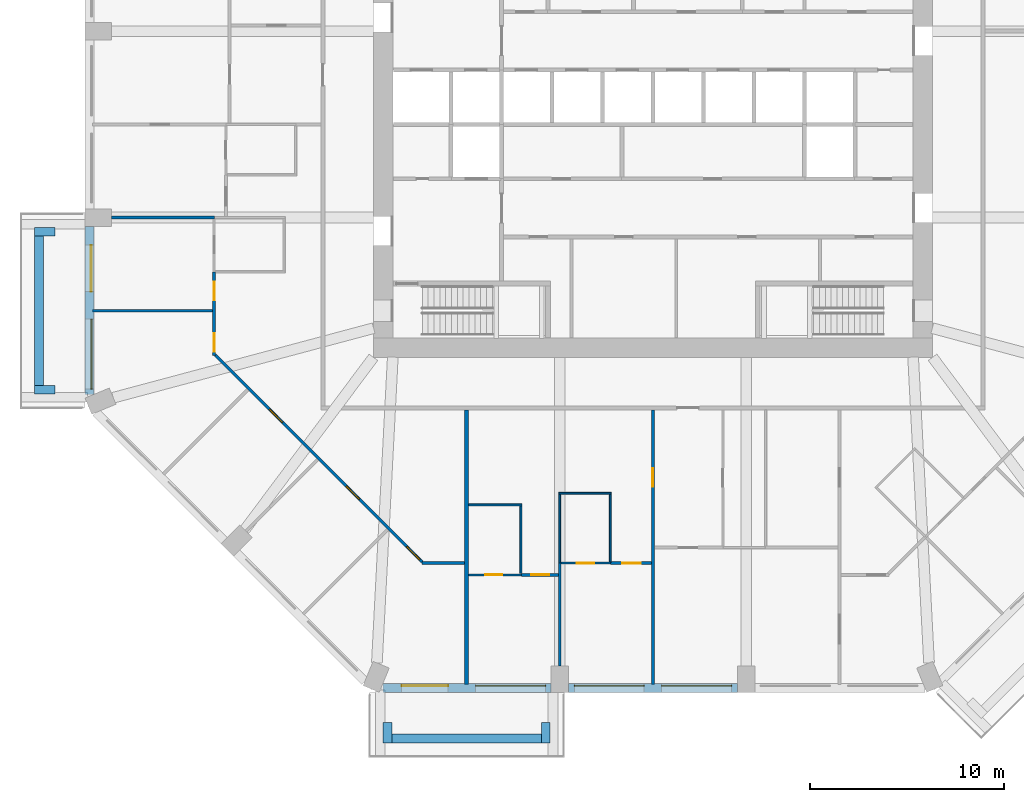
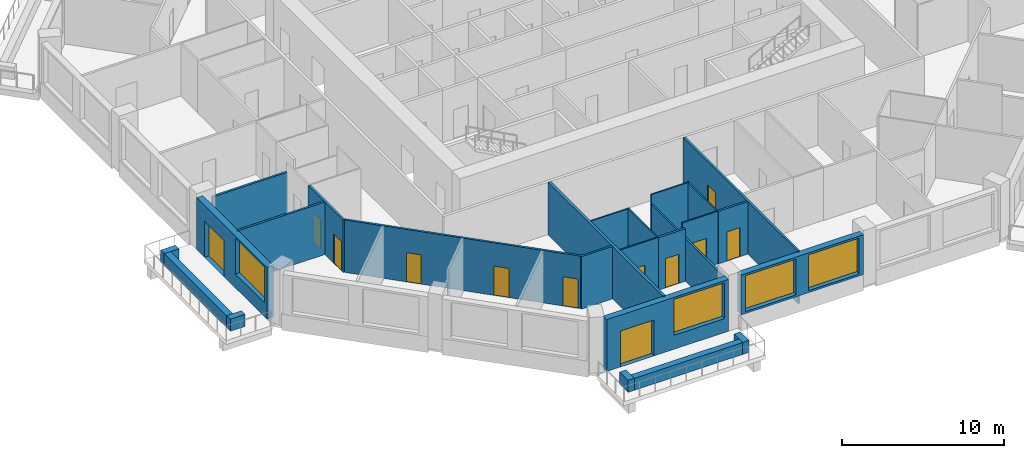
# One storey, part 3 of 13: 26 walls, 12 doors, 4 windows, 16 openings.
"""IFC4 building model written with IfcOpenShell, lengths in metres."""

from ifc_helpers import new_model, si_unit, direction, frame, frame_2d, origin, place, context, subcontext, project, spatial, rectangle, extrude, material, layer, layer_set, type_object, element, fill, save


model = new_model("IFC4")

# Units and contexts
model_context = context("Model", 3, precision=1e-05, world=origin(), true_north=direction((0.0, 1.0)))
body_context = subcontext(model_context, "Body", "Model", "MODEL_VIEW")
ifc_project = project(units=[si_unit("LENGTHUNIT", "METRE"), si_unit("AREAUNIT", "SQUARE_METRE"), si_unit("VOLUMEUNIT", "CUBIC_METRE"), si_unit("PLANEANGLEUNIT", "RADIAN"), si_unit("MASSUNIT", "GRAM", prefix="KILO")], contexts=[model_context])

# Site, building, storey
site_placement = place(None, origin())
site = spatial("IfcSite", under=ifc_project, at=site_placement, CompositionType="ELEMENT")
building_placement = place(site_placement, origin())
building = spatial("IfcBuilding", under=site, at=building_placement, Name="Msitu Wima Residences", CompositionType="ELEMENT")
storey_placement = place(building_placement, frame((0.0, 0.0, 88.5)))
storey = spatial("IfcBuildingStorey", under=building, at=storey_placement, Name="L20", CompositionType="ELEMENT", Elevation=88.5)

# Walls
ifc_material_1 = material(Name="Facing brick")
ifc_layer_1 = layer(ifc_material_1, 0.06494140625, Name="Facing brick")
ifc_material_2 = material(Name="Concrete C40/50", Category="concrete")
ifc_layer_2 = layer(ifc_material_2, 0.156005859375, Name="Concrete C40/50")
ifc_material_3 = material(Name="Waterproofing membrane")
ifc_layer_3 = layer(ifc_material_3, 0.00390625, Name="Waterproofing membrane")
ifc_material_4 = material(Name="Planting soil and planting")
ifc_layer_4 = layer(ifc_material_4, 0.22509765625, Name="Planting soil and planting")
ifc_layer_set_1 = layer_set([ifc_layer_1, ifc_layer_2, ifc_layer_3, ifc_layer_4], Name="Concrete C40/50")
wall_type_1 = type_object("IfcWallType", Name="Balcony planter PLANTER PL450", PredefinedType="USERDEFINED", material=ifc_layer_set_1)
wall_1_placement = place(storey_placement, frame((-31.625, -5.75, 0.0), z_axis=(0.0, 0.0, 1.0), x_axis=(0.0, -1.0, 0.0)))
element("IfcWall", 1, at=wall_1_placement, inside=storey, type_object=wall_type_1, Name="Balcony planter W2 L20", ObjectType="PLANTER", PredefinedType="USERDEFINED", context=body_context, shape_type="SweptSolid", body=[
    extrude(rectangle(XDim=7.699951171875, YDim=0.449951171875, at=frame_2d((3.85009765625, 0.0))), origin(), (0.0, 0.0, 1.0), 0.89990234375),
])
for number, where, z_axis, x_axis, name in (
    (2, (-30.800048828125, -5.52490234375, 0.0), (0.0, 0.0, 1.0), (-1.0, 0.0, 0.0), "Balcony planter W2 L20"),
    (3, (-30.800048828125, -13.675048828125, 0.0), (0.0, 0.0, 1.0), (-1.0, 0.0, 0.0), "Balcony planter W2 L20"),
):
    element("IfcWall", number, at=place(storey_placement, frame(where, z_axis=z_axis, x_axis=x_axis)), inside=storey, type_object=wall_type_1, Name=name, ObjectType="PLANTER", PredefinedType="USERDEFINED", context=body_context, shape_type="SweptSolid", body=[
        extrude(rectangle(XDim=1.050048828125, YDim=0.449951171875, at=frame_2d((0.52490234375, 0.0))), origin(), (0.0, 0.0, 1.0), 0.89990234375),
    ])
wall_2_placement = place(storey_placement, frame((-13.449951171875, -31.625, 0.0), z_axis=(0.0, 0.0, 1.0), x_axis=(1.0, 0.0, 0.0)))
element("IfcWall", 4, at=wall_2_placement, inside=storey, type_object=wall_type_1, Name="Balcony planter S0 L20", ObjectType="PLANTER", PredefinedType="USERDEFINED", context=body_context, shape_type="SweptSolid", body=[
    extrude(rectangle(XDim=7.699951171875, YDim=0.449951171875, at=frame_2d((3.85009765625, 0.0))), origin(), (0.0, 0.0, 1.0), 0.89990234375),
])
for number, where, z_axis, x_axis, name in (
    (5, (-13.675048828125, -30.800048828125, 0.0), (0.0, 0.0, 1.0), (0.0, -1.0, 0.0), "Balcony planter S0 L20"),
    (6, (-5.52490234375, -30.800048828125, 0.0), (0.0, 0.0, 1.0), (0.0, -1.0, 0.0), "Balcony planter S0 L20"),
):
    element("IfcWall", number, at=place(storey_placement, frame(where, z_axis=z_axis, x_axis=x_axis)), inside=storey, type_object=wall_type_1, Name=name, ObjectType="PLANTER", PredefinedType="USERDEFINED", context=body_context, shape_type="SweptSolid", body=[
        extrude(rectangle(XDim=1.050048828125, YDim=0.449951171875, at=frame_2d((0.52490234375, 0.0))), origin(), (0.0, 0.0, 1.0), 0.89990234375),
    ])

# Wall, openings, door, window
ifc_material_5 = material(Name="Brick (red buff mix)", Category="masonry")
ifc_layer_5 = layer(ifc_material_5, 0.449951171875)
ifc_layer_set_2 = layer_set([ifc_layer_5], Name="Brick (red buff mix)")
wall_type_2 = type_object("IfcWallType", Name="Brick infill wall BW450", PredefinedType="SOLIDWALL", material=ifc_layer_set_2)
wall_3_placement = place(storey_placement, frame((-29.02490234375, -5.25, 0.0), z_axis=(0.0, 0.0, 1.0), x_axis=(0.0, -1.0, 0.0)))
wall_3 = element("IfcWall", 7, at=wall_3_placement, inside=storey, type_object=wall_type_2, Name="Brick infill wall L20 W2", PredefinedType="SOLIDWALL", context=body_context, shape_type="SweptSolid", body=[
    extrude(rectangle(XDim=8.662841796875, YDim=0.449951171875, at=frame_2d((4.33154296875, 0.0))), origin(), (0.0, 0.0, 1.0), 3.89990234375),
])
opening_1_placement = place(wall_3_placement, frame((0.9658203125, 0.0, 0.0)))
opening_1 = element("IfcOpeningElement", 8, at=opening_1_placement, cuts=wall_3, Name="Opening D18-20.007", PredefinedType="OPENING", context=body_context, shape_type="SweptSolid", body=[
    extrude(rectangle(XDim=2.39990234375, YDim=2.699951171875, at=frame_2d((1.199951171875, 1.35009765625))), frame((0.0, 0.23486328125, 0.0), z_axis=(0.0, -1.0, 0.0), x_axis=(1.0, 0.0, 0.0)), (0.0, 0.0, 1.0), 0.469970703125),
])
opening_2_placement = place(wall_3_placement, frame((4.781494140625, 0.0, 1.050048828125)))
opening_2 = element("IfcOpeningElement", 9, at=opening_2_placement, cuts=wall_3, Name="Opening W18-20.033", PredefinedType="OPENING", context=body_context, shape_type="SweptSolid", body=[
    extrude(rectangle(XDim=3.60009765625, YDim=2.699951171875, at=frame_2d((1.800048828125, 1.35009765625))), frame((0.0, 0.23486328125, 0.0), z_axis=(0.0, -1.0, 0.0), x_axis=(1.0, 0.0, 0.0)), (0.0, 0.0, 1.0), 0.469970703125),
])
ifc_material_6 = material(Name="Anodised aluminium, bronze finish, clear low-emissivity double glazing", Category="aluminium")
door_type_1 = type_object("IfcDoorType", Name="Balcony door D2400x2700", OperationType="SLIDING_TO_LEFT", PredefinedType="DOOR", material=ifc_material_6)
door_1_placement = place(opening_1_placement, origin())
door_1 = element("IfcDoor", 10, at=door_1_placement, inside=storey, type_object=door_type_1, Name="Balcony door L20 W2", OperationType="SINGLE_SWING_LEFT", OverallHeight=2.699951171875, OverallWidth=2.39990234375, PredefinedType="DOOR", context=body_context, shape_type="SweptSolid", body=[
    extrude(rectangle(XDim=2.39990234375, YDim=2.699951171875, at=frame_2d((1.199951171875, 1.35009765625))), frame((0.0, 0.1298828125, 0.0), z_axis=(0.0, -1.0, 0.0), x_axis=(1.0, 0.0, 0.0)), (0.0, 0.0, 1.0), 0.050048828125),
])
fill(opening_1, door_1)
window_type = type_object("IfcWindowType", Name="Window W3600x2700", PartitioningType="DOUBLE_PANEL_VERTICAL", PredefinedType="WINDOW", material=ifc_material_6)
window_1_placement = place(opening_2_placement, origin())
window_1 = element("IfcWindow", 11, at=window_1_placement, inside=storey, type_object=window_type, Name="Window L20 W2.2", OverallHeight=2.699951171875, OverallWidth=3.60009765625, PartitioningType="SINGLE_PANEL", PredefinedType="WINDOW", context=body_context, shape_type="SweptSolid", body=[
    extrude(rectangle(XDim=3.60009765625, YDim=2.699951171875, at=frame_2d((1.800048828125, 1.35009765625))), frame((0.0, 0.135009765625, 0.0), z_axis=(0.0, -1.0, 0.0), x_axis=(1.0, 0.0, 0.0)), (0.0, 0.0, 1.0), 0.06005859375),
])
fill(opening_2, window_1)

wall_4_placement = place(storey_placement, frame((-13.912841796875, -29.02490234375, 0.0), z_axis=(0.0, 0.0, 1.0), x_axis=(1.0, 0.0, 0.0)))
wall_4 = element("IfcWall", 12, at=wall_4_placement, inside=storey, type_object=wall_type_2, Name="Brick infill wall L20 S0", PredefinedType="SOLIDWALL", context=body_context, shape_type="SweptSolid", body=[
    extrude(rectangle(XDim=8.662841796875, YDim=0.449951171875, at=frame_2d((4.33154296875, 0.0))), origin(), (0.0, 0.0, 1.0), 3.89990234375),
])
opening_3_placement = place(wall_4_placement, frame((0.9658203125, 0.0, 0.0)))
opening_3 = element("IfcOpeningElement", 13, at=opening_3_placement, cuts=wall_4, Name="Opening D18-20.005", PredefinedType="OPENING", context=body_context, shape_type="SweptSolid", body=[
    extrude(rectangle(XDim=2.39990234375, YDim=2.699951171875, at=frame_2d((1.199951171875, 1.35009765625))), frame((0.0, 0.23486328125, 0.0), z_axis=(0.0, -1.0, 0.0), x_axis=(1.0, 0.0, 0.0)), (0.0, 0.0, 1.0), 0.469970703125),
])
opening_4_placement = place(wall_4_placement, frame((4.781494140625, 0.0, 1.050048828125)))
opening_4 = element("IfcOpeningElement", 14, at=opening_4_placement, cuts=wall_4, Name="Opening W18-20.017", PredefinedType="OPENING", context=body_context, shape_type="SweptSolid", body=[
    extrude(rectangle(XDim=3.60009765625, YDim=2.699951171875, at=frame_2d((1.800048828125, 1.35009765625))), frame((0.0, 0.23486328125, 0.0), z_axis=(0.0, -1.0, 0.0), x_axis=(1.0, 0.0, 0.0)), (0.0, 0.0, 1.0), 0.469970703125),
])
door_2_placement = place(opening_3_placement, origin())
door_2 = element("IfcDoor", 15, at=door_2_placement, inside=storey, type_object=door_type_1, Name="Balcony door L20 S0", OperationType="SINGLE_SWING_LEFT", OverallHeight=2.699951171875, OverallWidth=2.39990234375, PredefinedType="DOOR", context=body_context, shape_type="SweptSolid", body=[
    extrude(rectangle(XDim=2.39990234375, YDim=2.699951171875, at=frame_2d((1.199951171875, 1.35009765625))), frame((0.0, 0.1298828125, 0.0), z_axis=(0.0, -1.0, 0.0), x_axis=(1.0, 0.0, 0.0)), (0.0, 0.0, 1.0), 0.050048828125),
])
fill(opening_3, door_2)
window_2_placement = place(opening_4_placement, origin())
window_2 = element("IfcWindow", 16, at=window_2_placement, inside=storey, type_object=window_type, Name="Window L20 S0.2", OverallHeight=2.699951171875, OverallWidth=3.60009765625, PartitioningType="SINGLE_PANEL", PredefinedType="WINDOW", context=body_context, shape_type="SweptSolid", body=[
    extrude(rectangle(XDim=3.60009765625, YDim=2.699951171875, at=frame_2d((1.800048828125, 1.35009765625))), frame((0.0, 0.135009765625, 0.0), z_axis=(0.0, -1.0, 0.0), x_axis=(1.0, 0.0, 0.0)), (0.0, 0.0, 1.0), 0.06005859375),
])
fill(opening_4, window_2)

# Wall, openings, windows
wall_5_placement = place(storey_placement, frame((-4.35009765625, -29.02490234375, 0.89990234375), z_axis=(0.0, 0.0, 1.0), x_axis=(1.0, 0.0, 0.0)))
wall_5 = element("IfcWall", 17, at=wall_5_placement, inside=storey, type_object=wall_type_2, Name="Brick infill wall L20 S1", PredefinedType="SOLIDWALL", context=body_context, shape_type="SweptSolid", body=[
    extrude(rectangle(XDim=8.7001953125, YDim=0.449951171875, at=frame_2d((4.35009765625, 0.0))), origin(), (0.0, 0.0, 1.0), 3.0),
])
opening_5_placement = place(wall_5_placement, frame((0.300048828125, 0.0, 0.14990234375)))
opening_5 = element("IfcOpeningElement", 18, at=opening_5_placement, cuts=wall_5, Name="Opening W18-20.018", PredefinedType="OPENING", context=body_context, shape_type="SweptSolid", body=[
    extrude(rectangle(XDim=3.60009765625, YDim=2.699951171875, at=frame_2d((1.800048828125, 1.35009765625))), frame((0.0, 0.23486328125, 0.0), z_axis=(0.0, -1.0, 0.0), x_axis=(1.0, 0.0, 0.0)), (0.0, 0.0, 1.0), 0.469970703125),
])
opening_6_placement = place(wall_5_placement, frame((4.800048828125, 0.0, 0.14990234375)))
opening_6 = element("IfcOpeningElement", 19, at=opening_6_placement, cuts=wall_5, Name="Opening W18-20.019", PredefinedType="OPENING", context=body_context, shape_type="SweptSolid", body=[
    extrude(rectangle(XDim=3.60009765625, YDim=2.699951171875, at=frame_2d((1.800048828125, 1.35009765625))), frame((0.0, 0.23486328125, 0.0), z_axis=(0.0, -1.0, 0.0), x_axis=(1.0, 0.0, 0.0)), (0.0, 0.0, 1.0), 0.469970703125),
])
window_3_placement = place(opening_5_placement, origin())
window_3 = element("IfcWindow", 20, at=window_3_placement, inside=storey, type_object=window_type, Name="Window L20 S1.1", OverallHeight=2.699951171875, OverallWidth=3.60009765625, PartitioningType="SINGLE_PANEL", PredefinedType="WINDOW", context=body_context, shape_type="SweptSolid", body=[
    extrude(rectangle(XDim=3.60009765625, YDim=2.699951171875, at=frame_2d((1.800048828125, 1.35009765625))), frame((0.0, 0.135009765625, 0.0), z_axis=(0.0, -1.0, 0.0), x_axis=(1.0, 0.0, 0.0)), (0.0, 0.0, 1.0), 0.06005859375),
])
fill(opening_5, window_3)
window_4_placement = place(opening_6_placement, origin())
window_4 = element("IfcWindow", 21, at=window_4_placement, inside=storey, type_object=window_type, Name="Window L20 S1.2", OverallHeight=2.699951171875, OverallWidth=3.60009765625, PartitioningType="SINGLE_PANEL", PredefinedType="WINDOW", context=body_context, shape_type="SweptSolid", body=[
    extrude(rectangle(XDim=3.60009765625, YDim=2.699951171875, at=frame_2d((1.800048828125, 1.35009765625))), frame((0.0, 0.135009765625, 0.0), z_axis=(0.0, -1.0, 0.0), x_axis=(1.0, 0.0, 0.0)), (0.0, 0.0, 1.0), 0.06005859375),
])
fill(opening_6, window_4)

# Walls
ifc_material_7 = material(Name="Plaster")
ifc_layer_6 = layer(ifc_material_7, 0.011962890625, Name="Plaster")
ifc_material_8 = material(Name="Concrete blockwork", Category="masonry")
ifc_layer_7 = layer(ifc_material_8, 0.1259765625, Name="Concrete blockwork")
ifc_layer_8 = layer(ifc_material_7, 0.011962890625, Name="Plaster")
ifc_layer_set_3 = layer_set([ifc_layer_6, ifc_layer_7, ifc_layer_8], Name="Concrete blockwork")
wall_type_3 = type_object("IfcWallType", Name="Partition PW150", PredefinedType="PARTITIONING", material=ifc_layer_set_3)
wall_6_placement = place(storey_placement, frame((-28.85498046875, -9.60009765625, 0.0), z_axis=(0.0, 0.0, 1.0), x_axis=(1.0, 0.0, 0.0)))
element("IfcWall", 22, at=wall_6_placement, inside=storey, type_object=wall_type_3, Name="Partition", PredefinedType="PARTITIONING", context=body_context, shape_type="SweptSolid", body=[
    extrude(rectangle(XDim=6.179931640625, YDim=0.14990234375, at=frame_2d((3.08984375, 0.0))), origin(), (0.0, 0.0, 1.0), 3.949951171875),
])
wall_7_placement = place(storey_placement, frame((-27.89990234375, -4.800048828125, 0.0), z_axis=(0.0, 0.0, 1.0), x_axis=(1.0, 0.0, 0.0)))
element("IfcWall", 23, at=wall_7_placement, inside=storey, type_object=wall_type_3, Name="Partition", PredefinedType="PARTITIONING", context=body_context, shape_type="SweptSolid", body=[
    extrude(rectangle(XDim=5.31982421875, YDim=0.14990234375, at=frame_2d((2.659912109375, 0.0))), origin(), (0.0, 0.0, 1.0), 3.25),
])

# Wall, openings, doors
wall_8_placement = place(storey_placement, frame((-22.60009765625, -11.906982421875, 0.0), z_axis=(0.0, 0.0, 1.0), x_axis=(0.0, 1.0, 0.0)))
wall_8 = element("IfcWall", 24, at=wall_8_placement, inside=storey, type_object=wall_type_3, Name="Partition", PredefinedType="PARTITIONING", context=body_context, shape_type="SweptSolid", body=[
    extrude(rectangle(XDim=4.306884765625, YDim=0.14990234375, at=frame_2d((2.1533203125, 0.0))), origin(), (0.0, 0.0, 1.0), 3.949951171875),
])
opening_7_placement = place(wall_8_placement, frame((2.85009765625, 0.0, 0.0)))
opening_7 = element("IfcOpeningElement", 25, at=opening_7_placement, cuts=wall_8, Name="Opening D18-20.060", PredefinedType="OPENING", context=body_context, shape_type="SweptSolid", body=[
    extrude(rectangle(XDim=0.949951171875, YDim=2.199951171875, at=frame_2d((0.47509765625, 1.10009765625))), frame((0.0, 0.0849609375, 0.0), z_axis=(0.0, -1.0, 0.0), x_axis=(1.0, 0.0, 0.0)), (0.0, 0.0, 1.0), 0.169921875),
])
opening_8_placement = place(wall_8_placement, frame((0.199951171875, 0.0, 0.0)))
opening_8 = element("IfcOpeningElement", 26, at=opening_8_placement, cuts=wall_8, Name="Opening D18-20.062", PredefinedType="OPENING", context=body_context, shape_type="SweptSolid", body=[
    extrude(rectangle(XDim=0.949951171875, YDim=2.199951171875, at=frame_2d((0.47509765625, 1.10009765625))), frame((0.0, 0.0849609375, 0.0), z_axis=(0.0, -1.0, 0.0), x_axis=(1.0, 0.0, 0.0)), (0.0, 0.0, 1.0), 0.169921875),
])
ifc_material_9 = material(Name="Timber flush door", Category="wood")
door_type_2 = type_object("IfcDoorType", Name="Room door D12 950x2200", OperationType="SINGLE_SWING_LEFT", PredefinedType="DOOR", material=ifc_material_9)
door_3_placement = place(opening_7_placement, origin())
door_3 = element("IfcDoor", 27, at=door_3_placement, inside=storey, type_object=door_type_2, Name="Room door", OperationType="SINGLE_SWING_LEFT", OverallHeight=2.199951171875, OverallWidth=0.949951171875, PredefinedType="DOOR", context=body_context, shape_type="SweptSolid", body=[
    extrude(rectangle(XDim=0.949951171875, YDim=2.199951171875, at=frame_2d((0.47509765625, 1.10009765625))), frame((0.0, 0.02490234375, 0.0), z_axis=(0.0, -1.0, 0.0), x_axis=(1.0, 0.0, 0.0)), (0.0, 0.0, 1.0), 0.050048828125),
])
fill(opening_7, door_3)
door_4_placement = place(opening_8_placement, origin())
door_4 = element("IfcDoor", 28, at=door_4_placement, inside=storey, type_object=door_type_2, Name="Room door", OperationType="SINGLE_SWING_RIGHT", OverallHeight=2.199951171875, OverallWidth=0.949951171875, PredefinedType="DOOR", context=body_context, shape_type="SweptSolid", body=[
    extrude(rectangle(XDim=0.949951171875, YDim=2.199951171875, at=frame_2d((0.47509765625, 1.10009765625))), frame((0.0, 0.02490234375, 0.0), z_axis=(0.0, -1.0, 0.0), x_axis=(1.0, 0.0, 0.0)), (0.0, 0.0, 1.0), 0.050048828125),
])
fill(opening_8, door_4)

wall_9_placement = place(storey_placement, frame((-22.546875, -11.885009765625, 0.0), z_axis=(0.0, 0.0, 1.0), x_axis=(0.707106781187, -0.707106781187, 0.0)))
wall_9 = element("IfcWall", 29, at=wall_9_placement, inside=storey, type_object=wall_type_3, Name="Partition", PredefinedType="PARTITIONING", context=body_context, shape_type="SweptSolid", body=[
    extrude(rectangle(XDim=15.078125, YDim=0.14990234375, at=frame_2d((7.5390625, 0.0))), origin(), (0.0, 0.0, 1.0), 3.949951171875),
])
opening_9_placement = place(wall_9_placement, frame((3.949951171875, 0.0, 0.0)))
opening_9 = element("IfcOpeningElement", 30, at=opening_9_placement, cuts=wall_9, Name="Opening D18-20.057", PredefinedType="OPENING", context=body_context, shape_type="SweptSolid", body=[
    extrude(rectangle(XDim=0.949951171875, YDim=2.199951171875, at=frame_2d((0.47509765625, 1.10009765625))), frame((0.0, 0.0849609375, 0.0), z_axis=(0.0, -1.0, 0.0), x_axis=(1.0, 0.0, 0.0)), (0.0, 0.0, 1.0), 0.169921875),
])
opening_10_placement = place(wall_9_placement, frame((9.550048828125, 0.0, 0.0)))
opening_10 = element("IfcOpeningElement", 31, at=opening_10_placement, cuts=wall_9, Name="Opening D18-20.058", PredefinedType="OPENING", context=body_context, shape_type="SweptSolid", body=[
    extrude(rectangle(XDim=0.949951171875, YDim=2.199951171875, at=frame_2d((0.47509765625, 1.10009765625))), frame((0.0, 0.0849609375, 0.0), z_axis=(0.0, -1.0, 0.0), x_axis=(1.0, 0.0, 0.0)), (0.0, 0.0, 1.0), 0.169921875),
])
opening_11_placement = place(wall_9_placement, frame((13.949951171875, 0.0, 0.0)))
opening_11 = element("IfcOpeningElement", 32, at=opening_11_placement, cuts=wall_9, Name="Opening D18-20.063", PredefinedType="OPENING", context=body_context, shape_type="SweptSolid", body=[
    extrude(rectangle(XDim=0.949951171875, YDim=2.199951171875, at=frame_2d((0.47509765625, 1.10009765625))), frame((0.0, 0.0849609375, 0.0), z_axis=(0.0, -1.0, 0.0), x_axis=(1.0, 0.0, 0.0)), (0.0, 0.0, 1.0), 0.169921875),
])
door_5_placement = place(opening_9_placement, origin())
door_5 = element("IfcDoor", 33, at=door_5_placement, inside=storey, type_object=door_type_2, Name="Room door", OperationType="SINGLE_SWING_RIGHT", OverallHeight=2.199951171875, OverallWidth=0.949951171875, PredefinedType="DOOR", context=body_context, shape_type="SweptSolid", body=[
    extrude(rectangle(XDim=0.949951171875, YDim=2.199951171875, at=frame_2d((0.47509765625, 1.10009765625))), frame((0.0, 0.02490234375, 0.0), z_axis=(0.0, -1.0, 0.0), x_axis=(1.0, 0.0, 0.0)), (0.0, 0.0, 1.0), 0.050048828125),
])
fill(opening_9, door_5)
door_6_placement = place(opening_10_placement, origin())
door_6 = element("IfcDoor", 34, at=door_6_placement, inside=storey, type_object=door_type_2, Name="Room door", OperationType="SINGLE_SWING_RIGHT", OverallHeight=2.199951171875, OverallWidth=0.949951171875, PredefinedType="DOOR", context=body_context, shape_type="SweptSolid", body=[
    extrude(rectangle(XDim=0.949951171875, YDim=2.199951171875, at=frame_2d((0.47509765625, 1.10009765625))), frame((0.0, 0.02490234375, 0.0), z_axis=(0.0, -1.0, 0.0), x_axis=(1.0, 0.0, 0.0)), (0.0, 0.0, 1.0), 0.050048828125),
])
fill(opening_10, door_6)
door_7_placement = place(opening_11_placement, origin())
door_7 = element("IfcDoor", 35, at=door_7_placement, inside=storey, type_object=door_type_2, Name="Room door", OperationType="SINGLE_SWING_RIGHT", OverallHeight=2.199951171875, OverallWidth=0.949951171875, PredefinedType="DOOR", context=body_context, shape_type="SweptSolid", body=[
    extrude(rectangle(XDim=0.949951171875, YDim=2.199951171875, at=frame_2d((0.47509765625, 1.10009765625))), frame((0.0, 0.02490234375, 0.0), z_axis=(0.0, -1.0, 0.0), x_axis=(1.0, 0.0, 0.0)), (0.0, 0.0, 1.0), 0.050048828125),
])
fill(opening_11, door_7)

# Wall
wall_10_placement = place(storey_placement, frame((-11.906982421875, -22.60009765625, 0.0), z_axis=(0.0, 0.0, 1.0), x_axis=(1.0, 0.0, 0.0)))
element("IfcWall", 36, at=wall_10_placement, inside=storey, type_object=wall_type_3, Name="Partition", PredefinedType="PARTITIONING", context=body_context, shape_type="SweptSolid", body=[
    extrude(rectangle(XDim=2.20703125, YDim=0.14990234375, at=frame_2d((1.103515625, 0.0))), origin(), (0.0, 0.0, 1.0), 3.949951171875),
])

# Wall, opening, door
wall_11_placement = place(storey_placement, frame((-6.780029296875, -23.199951171875, 0.0), z_axis=(0.0, 0.0, 1.0), x_axis=(1.0, 0.0, 0.0)))
wall_11 = element("IfcWall", 37, at=wall_11_placement, inside=storey, type_object=wall_type_3, Name="Partition", PredefinedType="PARTITIONING", context=body_context, shape_type="SweptSolid", body=[
    extrude(rectangle(XDim=1.905029296875, YDim=0.14990234375, at=frame_2d((0.95263671875, 0.0))), origin(), (0.0, 0.0, 1.0), 3.949951171875),
])
opening_12_placement = place(wall_11_placement, frame((0.5, 0.0, 0.0)))
opening_12 = element("IfcOpeningElement", 38, at=opening_12_placement, cuts=wall_11, Name="Opening D18-20.068", PredefinedType="OPENING", context=body_context, shape_type="SweptSolid", body=[
    extrude(rectangle(XDim=0.949951171875, YDim=2.199951171875, at=frame_2d((0.47509765625, 1.10009765625))), frame((0.0, 0.0849609375, 0.0), z_axis=(0.0, -1.0, 0.0), x_axis=(1.0, 0.0, 0.0)), (0.0, 0.0, 1.0), 0.169921875),
])
door_8_placement = place(opening_12_placement, origin())
door_8 = element("IfcDoor", 39, at=door_8_placement, inside=storey, type_object=door_type_2, Name="Room door", OperationType="SINGLE_SWING_LEFT", OverallHeight=2.199951171875, OverallWidth=0.949951171875, PredefinedType="DOOR", context=body_context, shape_type="SweptSolid", body=[
    extrude(rectangle(XDim=0.949951171875, YDim=2.199951171875, at=frame_2d((0.47509765625, 1.10009765625))), frame((0.0, 0.02490234375, 0.0), z_axis=(0.0, -1.0, 0.0), x_axis=(1.0, 0.0, 0.0)), (0.0, 0.0, 1.0), 0.050048828125),
])
fill(opening_12, door_8)

# Wall
wall_12_placement = place(storey_placement, frame((-4.800048828125, -27.89990234375, 0.0), z_axis=(0.0, 0.0, 1.0), x_axis=(0.0, 1.0, 0.0)))
element("IfcWall", 40, at=wall_12_placement, inside=storey, type_object=wall_type_3, Name="Partition", PredefinedType="PARTITIONING", context=body_context, shape_type="SweptSolid", body=[
    extrude(rectangle(XDim=5.31982421875, YDim=0.14990234375, at=frame_2d((2.659912109375, 0.0))), origin(), (0.0, 0.0, 1.0), 3.199951171875),
])

# Wall, opening, door
wall_13_placement = place(storey_placement, frame((-2.179931640625, -22.60009765625, 0.0), z_axis=(0.0, 0.0, 1.0), x_axis=(1.0, 0.0, 0.0)))
wall_13 = element("IfcWall", 41, at=wall_13_placement, inside=storey, type_object=wall_type_3, Name="Partition", PredefinedType="PARTITIONING", context=body_context, shape_type="SweptSolid", body=[
    extrude(rectangle(XDim=2.10498046875, YDim=0.14990234375, at=frame_2d((1.052490234375, 0.0))), origin(), (0.0, 0.0, 1.0), 3.949951171875),
])
opening_13_placement = place(wall_13_placement, frame((0.60009765625, 0.0, 0.0)))
opening_13 = element("IfcOpeningElement", 42, at=opening_13_placement, cuts=wall_13, Name="Opening D18-20.071", PredefinedType="OPENING", context=body_context, shape_type="SweptSolid", body=[
    extrude(rectangle(XDim=0.949951171875, YDim=2.199951171875, at=frame_2d((0.47509765625, 1.10009765625))), frame((0.0, 0.0849609375, 0.0), z_axis=(0.0, -1.0, 0.0), x_axis=(1.0, 0.0, 0.0)), (0.0, 0.0, 1.0), 0.169921875),
])
door_9_placement = place(opening_13_placement, origin())
door_9 = element("IfcDoor", 43, at=door_9_placement, inside=storey, type_object=door_type_2, Name="Room door", OperationType="SINGLE_SWING_LEFT", OverallHeight=2.199951171875, OverallWidth=0.949951171875, PredefinedType="DOOR", context=body_context, shape_type="SweptSolid", body=[
    extrude(rectangle(XDim=0.949951171875, YDim=2.199951171875, at=frame_2d((0.47509765625, 1.10009765625))), frame((0.0, 0.02490234375, 0.0), z_axis=(0.0, -1.0, 0.0), x_axis=(1.0, 0.0, 0.0)), (0.0, 0.0, 1.0), 0.050048828125),
])
fill(opening_13, door_9)

wall_14_placement = place(storey_placement, frame((0.0, -28.85498046875, 0.0), z_axis=(0.0, 0.0, 1.0), x_axis=(0.0, 1.0, 0.0)))
wall_14 = element("IfcWall", 44, at=wall_14_placement, inside=storey, type_object=wall_type_3, Name="Partition", PredefinedType="PARTITIONING", context=body_context, shape_type="SweptSolid", body=[
    extrude(rectangle(XDim=14.155029296875, YDim=0.14990234375, at=frame_2d((7.07763671875, 0.0))), origin(), (0.0, 0.0, 1.0), 3.949951171875),
])
opening_14_placement = place(wall_14_placement, frame((10.199951171875, 0.0, 0.0)))
opening_14 = element("IfcOpeningElement", 45, at=opening_14_placement, cuts=wall_14, Name="Opening D18-20.064", PredefinedType="OPENING", context=body_context, shape_type="SweptSolid", body=[
    extrude(rectangle(XDim=0.949951171875, YDim=2.199951171875, at=frame_2d((0.47509765625, 1.10009765625))), frame((0.0, 0.0849609375, 0.0), z_axis=(0.0, -1.0, 0.0), x_axis=(1.0, 0.0, 0.0)), (0.0, 0.0, 1.0), 0.169921875),
])
door_10_placement = place(opening_14_placement, origin())
door_10 = element("IfcDoor", 46, at=door_10_placement, inside=storey, type_object=door_type_2, Name="Room door", OperationType="SINGLE_SWING_RIGHT", OverallHeight=2.199951171875, OverallWidth=0.949951171875, PredefinedType="DOOR", context=body_context, shape_type="SweptSolid", body=[
    extrude(rectangle(XDim=0.949951171875, YDim=2.199951171875, at=frame_2d((0.47509765625, 1.10009765625))), frame((0.0, 0.02490234375, 0.0), z_axis=(0.0, -1.0, 0.0), x_axis=(1.0, 0.0, 0.0)), (0.0, 0.0, 1.0), 0.050048828125),
])
fill(opening_14, door_10)

# Wall
ifc_layer_9 = layer(ifc_material_7, 0.011962890625, Name="Plaster")
ifc_material_10 = material(Name="Dense concrete blockwork", Category="masonry")
ifc_layer_10 = layer(ifc_material_10, 0.176025390625, Name="Dense concrete blockwork")
ifc_layer_11 = layer(ifc_material_7, 0.011962890625, Name="Plaster")
ifc_layer_set_4 = layer_set([ifc_layer_9, ifc_layer_10, ifc_layer_11], Name="Dense concrete blockwork")
wall_type_4 = type_object("IfcWallType", Name="Party wall PW200", PredefinedType="PARTITIONING", material=ifc_layer_set_4)
wall_15_placement = place(storey_placement, frame((-9.60009765625, -28.85498046875, 0.0), z_axis=(0.0, 0.0, 1.0), x_axis=(0.0, 1.0, 0.0)))
element("IfcWall", 47, at=wall_15_placement, inside=storey, type_object=wall_type_4, Name="Party wall", PredefinedType="PARTITIONING", context=body_context, shape_type="SweptSolid", body=[
    extrude(rectangle(XDim=14.155029296875, YDim=0.199951171875, at=frame_2d((7.07763671875, 0.0))), origin(), (0.0, 0.0, 1.0), 3.949951171875),
])

# Wall, opening, door
ifc_material_11 = material(Name="Ceramic tiles")
ifc_layer_12 = layer(ifc_material_11, 0.008056640625, Name="Ceramic tiles")
ifc_material_12 = material(Name="Moisture-resistant board")
ifc_layer_13 = layer(ifc_material_12, 0.012451171875, Name="Moisture-resistant board")
ifc_material_13 = material(Name="Light-gauge stud framing with mineral wool")
ifc_layer_14 = layer(ifc_material_13, 0.06689453125, Name="Light-gauge stud framing with mineral wool")
ifc_layer_15 = layer(ifc_material_12, 0.012451171875, Name="Moisture-resistant board")
ifc_layer_set_5 = layer_set([ifc_layer_12, ifc_layer_13, ifc_layer_14, ifc_layer_15], Name="Light-gauge stud framing with mineral wool")
wall_type_5 = type_object("IfcWallType", Name="Wet wall PW100", PredefinedType="PARTITIONING", material=ifc_layer_set_5)
wall_16_placement = place(storey_placement, frame((-9.5, -23.199951171875, 0.0), z_axis=(0.0, 0.0, 1.0), x_axis=(1.0, 0.0, 0.0)))
wall_16 = element("IfcWall", 48, at=wall_16_placement, inside=storey, type_object=wall_type_5, Name="Wet wall", PredefinedType="PARTITIONING", context=body_context, shape_type="SweptSolid", body=[
    extrude(rectangle(XDim=2.719970703125, YDim=0.10009765625, at=frame_2d((1.35986328125, 0.0))), origin(), (0.0, 0.0, 1.0), 3.949951171875),
])
opening_15_placement = place(wall_16_placement, frame((0.85009765625, 0.0, 0.0)))
opening_15 = element("IfcOpeningElement", 49, at=opening_15_placement, cuts=wall_16, Name="Opening D18-20.069", PredefinedType="OPENING", context=body_context, shape_type="SweptSolid", body=[
    extrude(rectangle(XDim=0.89990234375, YDim=2.199951171875, at=frame_2d((0.449951171875, 1.10009765625))), frame((0.0, 0.06005859375, 0.0), z_axis=(0.0, -1.0, 0.0), x_axis=(1.0, 0.0, 0.0)), (0.0, 0.0, 1.0), 0.1201171875),
])
ifc_material_14 = material(Name="Timber flush door, moisture resistant", Category="wood")
door_type_3 = type_object("IfcDoorType", Name="Bathroom door D03 900x2200", OperationType="SINGLE_SWING_LEFT", PredefinedType="DOOR", material=ifc_material_14)
door_11_placement = place(opening_15_placement, origin())
door_11 = element("IfcDoor", 50, at=door_11_placement, inside=storey, type_object=door_type_3, Name="Bathroom door", OperationType="SINGLE_SWING_LEFT", OverallHeight=2.199951171875, OverallWidth=0.89990234375, PredefinedType="DOOR", context=body_context, shape_type="SweptSolid", body=[
    extrude(rectangle(XDim=0.89990234375, YDim=2.199951171875, at=frame_2d((0.449951171875, 1.10009765625))), frame((0.0, 0.02490234375, 0.0), z_axis=(0.0, -1.0, 0.0), x_axis=(1.0, 0.0, 0.0)), (0.0, 0.0, 1.0), 0.050048828125),
])
fill(opening_15, door_11)

# Walls
wall_17_placement = place(storey_placement, frame((-9.5, -19.60009765625, 0.0), z_axis=(0.0, 0.0, 1.0), x_axis=(1.0, 0.0, 0.0)))
element("IfcWall", 51, at=wall_17_placement, inside=storey, type_object=wall_type_5, Name="Wet wall", PredefinedType="PARTITIONING", context=body_context, shape_type="SweptSolid", body=[
    extrude(rectangle(XDim=2.75, YDim=0.10009765625, at=frame_2d((1.375, 0.0))), origin(), (0.0, 0.0, 1.0), 3.949951171875),
])
wall_18_placement = place(storey_placement, frame((-6.800048828125, -23.125, 0.0), z_axis=(0.0, 0.0, 1.0), x_axis=(0.0, 1.0, 0.0)))
element("IfcWall", 52, at=wall_18_placement, inside=storey, type_object=wall_type_5, Name="Wet wall", PredefinedType="PARTITIONING", context=body_context, shape_type="SweptSolid", body=[
    extrude(rectangle(XDim=3.47509765625, YDim=0.10009765625, at=frame_2d((1.737548828125, 0.0))), origin(), (0.0, 0.0, 1.0), 3.949951171875),
])
wall_19_placement = place(storey_placement, frame((-4.800048828125, -22.580078125, 0.0), z_axis=(0.0, 0.0, 1.0), x_axis=(0.0, 1.0, 0.0)))
element("IfcWall", 53, at=wall_19_placement, inside=storey, type_object=wall_type_5, Name="Wet wall", PredefinedType="PARTITIONING", context=body_context, shape_type="SweptSolid", body=[
    extrude(rectangle(XDim=3.530029296875, YDim=0.10009765625, at=frame_2d((1.76513671875, 0.0))), origin(), (0.0, 0.0, 1.0), 3.199951171875),
])

# Wall, opening, door
wall_20_placement = place(storey_placement, frame((-4.72509765625, -22.60009765625, 0.0), z_axis=(0.0, 0.0, 1.0), x_axis=(1.0, 0.0, 0.0)))
wall_20 = element("IfcWall", 54, at=wall_20_placement, inside=storey, type_object=wall_type_5, Name="Wet wall", PredefinedType="PARTITIONING", context=body_context, shape_type="SweptSolid", body=[
    extrude(rectangle(XDim=2.545166015625, YDim=0.10009765625, at=frame_2d((1.2724609375, 0.0))), origin(), (0.0, 0.0, 1.0), 3.949951171875),
])
opening_16_placement = place(wall_20_placement, frame((0.800048828125, 0.0, 0.0)))
opening_16 = element("IfcOpeningElement", 55, at=opening_16_placement, cuts=wall_20, Name="Opening D18-20.072", PredefinedType="OPENING", context=body_context, shape_type="SweptSolid", body=[
    extrude(rectangle(XDim=0.89990234375, YDim=2.199951171875, at=frame_2d((0.449951171875, 1.10009765625))), frame((0.0, 0.06005859375, 0.0), z_axis=(0.0, -1.0, 0.0), x_axis=(1.0, 0.0, 0.0)), (0.0, 0.0, 1.0), 0.1201171875),
])
door_12_placement = place(opening_16_placement, origin())
door_12 = element("IfcDoor", 56, at=door_12_placement, inside=storey, type_object=door_type_3, Name="Bathroom door", OperationType="SINGLE_SWING_RIGHT", OverallHeight=2.199951171875, OverallWidth=0.89990234375, PredefinedType="DOOR", context=body_context, shape_type="SweptSolid", body=[
    extrude(rectangle(XDim=0.89990234375, YDim=2.199951171875, at=frame_2d((0.449951171875, 1.10009765625))), frame((0.0, 0.02490234375, 0.0), z_axis=(0.0, -1.0, 0.0), x_axis=(1.0, 0.0, 0.0)), (0.0, 0.0, 1.0), 0.050048828125),
])
fill(opening_16, door_12)

# Walls
wall_21_placement = place(storey_placement, frame((-4.85009765625, -19.0, 0.0), z_axis=(0.0, 0.0, 1.0), x_axis=(1.0, 0.0, 0.0)))
element("IfcWall", 57, at=wall_21_placement, inside=storey, type_object=wall_type_5, Name="Wet wall", PredefinedType="PARTITIONING", context=body_context, shape_type="SweptSolid", body=[
    extrude(rectangle(XDim=2.7001953125, YDim=0.10009765625, at=frame_2d((1.35009765625, 0.0))), origin(), (0.0, 0.0, 1.0), 3.949951171875),
])
wall_22_placement = place(storey_placement, frame((-2.199951171875, -22.550048828125, 0.0), z_axis=(0.0, 0.0, 1.0), x_axis=(0.0, 1.0, 0.0)))
element("IfcWall", 58, at=wall_22_placement, inside=storey, type_object=wall_type_5, Name="Wet wall", PredefinedType="PARTITIONING", context=body_context, shape_type="SweptSolid", body=[
    extrude(rectangle(XDim=3.5, YDim=0.10009765625, at=frame_2d((1.75, 0.0))), origin(), (0.0, 0.0, 1.0), 3.949951171875),
])

save(model, "model.ifc")
